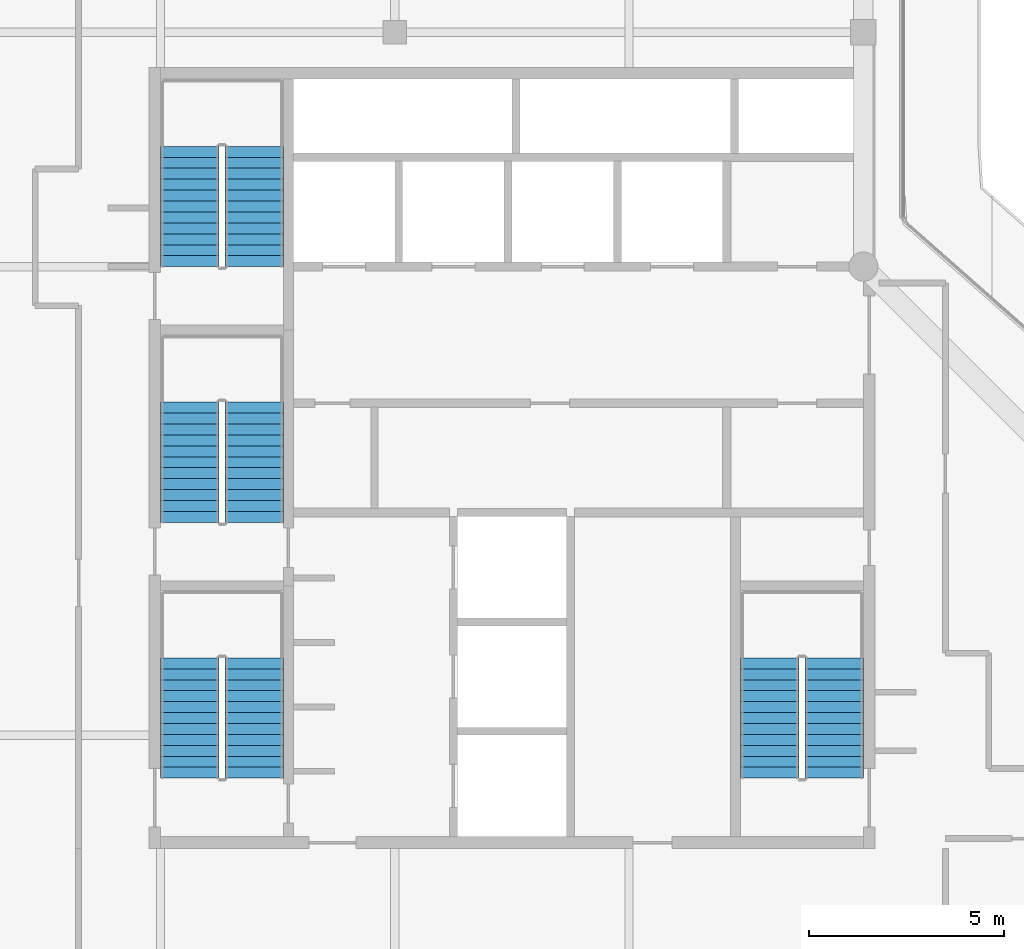
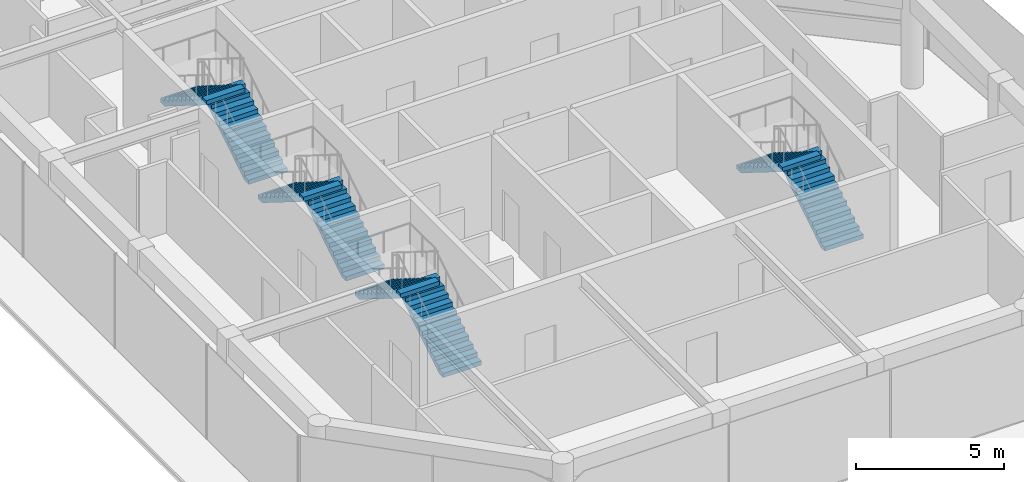
# One storey, part 20 of 22: 8 stair flights, 4 elements without a shape of their own.
"""IFC4 building model written with IfcOpenShell, lengths in metres."""

from ifc_helpers import new_model, si_unit, direction, frame, origin, place, context, subcontext, project, spatial, polyline, outline, extrude, material, type_object, element, aggregate, save


model = new_model("IFC4")

# Units and contexts
model_context = context("Model", 3, precision=1e-05, world=origin(), true_north=direction((0.0, 1.0)))
body_context = subcontext(model_context, "Body", "Model", "MODEL_VIEW")
ifc_project = project(units=[si_unit("LENGTHUNIT", "METRE"), si_unit("AREAUNIT", "SQUARE_METRE"), si_unit("VOLUMEUNIT", "CUBIC_METRE"), si_unit("PLANEANGLEUNIT", "RADIAN"), si_unit("MASSUNIT", "GRAM", prefix="KILO")], contexts=[model_context])

# Site, building, storey
site_placement = place(None, origin())
site = spatial("IfcSite", under=ifc_project, at=site_placement, CompositionType="ELEMENT")
building_placement = place(site_placement, origin())
building = spatial("IfcBuilding", under=site, at=building_placement, Name="Welwitschia Terrace Campus", CompositionType="ELEMENT")
storey_placement = place(building_placement, frame((0.0, 0.0, 318.800048828125)))
storey = spatial("IfcBuildingStorey", under=building, at=storey_placement, Name="L71", CompositionType="ELEMENT", Elevation=318.800048828125)

# Stair, stair flights
ifc_material_1 = material(Name="Concrete C40/50", Category="concrete")
stair_type = type_object("IfcStairType", Name="Stair 24R 175 W1500", PredefinedType="HALF_TURN_STAIR", material=ifc_material_1)
stair_1_placement = place(storey_placement, origin())
stair_1 = element("IfcStair", 1, at=stair_1_placement, inside=storey, type_object=stair_type, Name="L71 Exit stair S1", PredefinedType="HALF_TURN_STAIR")
ifc_material_2 = material(Name="Concrete C40/50", Category="concrete")
stair_flight_type = type_object("IfcStairFlightType", Name="Stair flight 24R 175 W1500", PredefinedType="STRAIGHT", material=ifc_material_2)
stair_flight_1_placement = place(storey_placement, frame((8.39990234375, 6.89990234375, 0.0), z_axis=(0.0, 0.0, 1.0), x_axis=(0.0, 1.0, 0.0)))
stair_flight_1 = element("IfcStairFlight", 2, at=stair_flight_1_placement, type_object=stair_flight_type, Name="S1 flight 1", NumberOfRisers=12, NumberOfTreads=11, PredefinedType="STRAIGHT", RiserHeight=0.175, TreadLength=0.28, context=body_context, shape_type="SweptSolid", body=[
    extrude(outline(polyline([(0.0, 0.0), (0.0, 0.175048828125), (0.280029296875, 0.175048828125), (0.280029296875, 0.35009765625), (0.56005859375, 0.35009765625), (0.56005859375, 0.52490234375), (0.840087890625, 0.52490234375), (0.840087890625, 0.699951171875), (1.1201171875, 0.699951171875), (1.1201171875, 0.875), (1.39990234375, 0.875), (1.39990234375, 1.050048828125), (1.679931640625, 1.050048828125), (1.679931640625, 1.22509765625), (1.9599609375, 1.22509765625), (1.9599609375, 1.39990234375), (2.239990234375, 1.39990234375), (2.239990234375, 1.574951171875), (2.52001953125, 1.574951171875), (2.52001953125, 1.75), (2.800048828125, 1.75), (2.800048828125, 1.925048828125), (3.080078125, 1.925048828125), (3.080078125, 2.10009765625), (3.080078125, 1.748291015625), (0.28271484375, 0.0), (0.0, 0.0)])), frame((0.0, 0.75, 0.0), z_axis=(0.0, -1.0, 0.0), x_axis=(1.0, 0.0, 0.0)), (0.0, 0.0, 1.0), 1.5),
])
stair_flight_2_placement = place(storey_placement, frame((6.75, 9.97998046875, 2.099853515625), z_axis=(0.0, 0.0, 1.0), x_axis=(0.0, -1.0, 0.0)))
stair_flight_2 = element("IfcStairFlight", 3, at=stair_flight_2_placement, type_object=stair_flight_type, Name="S1 flight 2", NumberOfRisers=12, NumberOfTreads=11, PredefinedType="STRAIGHT", RiserHeight=0.175, TreadLength=0.28, context=body_context, shape_type="SweptSolid", body=[
    extrude(outline(polyline([(0.0, 0.0), (0.0, 0.175048828125), (0.280029296875, 0.175048828125), (0.280029296875, 0.35009765625), (0.56005859375, 0.35009765625), (0.56005859375, 0.52490234375), (0.840087890625, 0.52490234375), (0.840087890625, 0.699951171875), (1.1201171875, 0.699951171875), (1.1201171875, 0.875), (1.39990234375, 0.875), (1.39990234375, 1.050048828125), (1.679931640625, 1.050048828125), (1.679931640625, 1.22509765625), (1.9599609375, 1.22509765625), (1.9599609375, 1.39990234375), (2.239990234375, 1.39990234375), (2.239990234375, 1.574951171875), (2.52001953125, 1.574951171875), (2.52001953125, 1.75), (2.800048828125, 1.75), (2.800048828125, 1.925048828125), (3.080078125, 1.925048828125), (3.080078125, 2.10009765625), (3.080078125, 1.748291015625), (0.28271484375, 0.0), (0.0, 0.0)])), frame((0.0, 0.75, 0.0), z_axis=(0.0, -1.0, 0.0), x_axis=(1.0, 0.0, 0.0)), (0.0, 0.0, 1.0), 1.5),
])
aggregate(stair_1, [stair_flight_1, stair_flight_2])

stair_2_placement = place(storey_placement, origin())
stair_2 = element("IfcStair", 4, at=stair_2_placement, inside=storey, type_object=stair_type, Name="L71 Exit stair S3", PredefinedType="HALF_TURN_STAIR")
stair_flight_3_placement = place(storey_placement, frame((8.39990234375, 13.449951171875, 0.0), z_axis=(0.0, 0.0, 1.0), x_axis=(0.0, 1.0, 0.0)))
stair_flight_3 = element("IfcStairFlight", 5, at=stair_flight_3_placement, type_object=stair_flight_type, Name="S3 flight 1", NumberOfRisers=12, NumberOfTreads=11, PredefinedType="STRAIGHT", RiserHeight=0.175, TreadLength=0.28, context=body_context, shape_type="SweptSolid", body=[
    extrude(outline(polyline([(0.0, 0.0), (0.0, 0.175048828125), (0.280029296875, 0.175048828125), (0.280029296875, 0.35009765625), (0.56005859375, 0.35009765625), (0.56005859375, 0.52490234375), (0.840087890625, 0.52490234375), (0.840087890625, 0.699951171875), (1.1201171875, 0.699951171875), (1.1201171875, 0.875), (1.39990234375, 0.875), (1.39990234375, 1.050048828125), (1.679931640625, 1.050048828125), (1.679931640625, 1.22509765625), (1.9599609375, 1.22509765625), (1.9599609375, 1.39990234375), (2.239990234375, 1.39990234375), (2.239990234375, 1.574951171875), (2.52001953125, 1.574951171875), (2.52001953125, 1.75), (2.800048828125, 1.75), (2.800048828125, 1.925048828125), (3.080078125, 1.925048828125), (3.080078125, 2.10009765625), (3.080078125, 1.748291015625), (0.28271484375, 0.0), (0.0, 0.0)])), frame((0.0, 0.75, 0.0), z_axis=(0.0, -1.0, 0.0), x_axis=(1.0, 0.0, 0.0)), (0.0, 0.0, 1.0), 1.5),
])
stair_flight_4_placement = place(storey_placement, frame((6.75, 16.530029296875, 2.099853515625), z_axis=(0.0, 0.0, 1.0), x_axis=(0.0, -1.0, 0.0)))
stair_flight_4 = element("IfcStairFlight", 6, at=stair_flight_4_placement, type_object=stair_flight_type, Name="S3 flight 2", NumberOfRisers=12, NumberOfTreads=11, PredefinedType="STRAIGHT", RiserHeight=0.175, TreadLength=0.28, context=body_context, shape_type="SweptSolid", body=[
    extrude(outline(polyline([(0.0, 0.0), (0.0, 0.175048828125), (0.280029296875, 0.175048828125), (0.280029296875, 0.35009765625), (0.56005859375, 0.35009765625), (0.56005859375, 0.52490234375), (0.840087890625, 0.52490234375), (0.840087890625, 0.699951171875), (1.1201171875, 0.699951171875), (1.1201171875, 0.875), (1.39990234375, 0.875), (1.39990234375, 1.050048828125), (1.679931640625, 1.050048828125), (1.679931640625, 1.22509765625), (1.9599609375, 1.22509765625), (1.9599609375, 1.39990234375), (2.239990234375, 1.39990234375), (2.239990234375, 1.574951171875), (2.52001953125, 1.574951171875), (2.52001953125, 1.75), (2.800048828125, 1.75), (2.800048828125, 1.925048828125), (3.080078125, 1.925048828125), (3.080078125, 2.10009765625), (3.080078125, 1.748291015625), (0.28271484375, 0.0), (0.0, 0.0)])), frame((0.0, 0.75, 0.0), z_axis=(0.0, -1.0, 0.0), x_axis=(1.0, 0.0, 0.0)), (0.0, 0.0, 1.0), 1.5),
])
aggregate(stair_2, [stair_flight_3, stair_flight_4])

stair_3_placement = place(storey_placement, origin())
stair_3 = element("IfcStair", 7, at=stair_3_placement, inside=storey, type_object=stair_type, Name="L71 Exit stair S4", PredefinedType="HALF_TURN_STAIR")
stair_flight_5_placement = place(storey_placement, frame((8.39990234375, 20.0, 0.0), z_axis=(0.0, 0.0, 1.0), x_axis=(0.0, 1.0, 0.0)))
stair_flight_5 = element("IfcStairFlight", 8, at=stair_flight_5_placement, type_object=stair_flight_type, Name="S4 flight 1", NumberOfRisers=12, NumberOfTreads=11, PredefinedType="STRAIGHT", RiserHeight=0.175, TreadLength=0.28, context=body_context, shape_type="SweptSolid", body=[
    extrude(outline(polyline([(0.0, 0.0), (0.0, 0.175048828125), (0.280029296875, 0.175048828125), (0.280029296875, 0.35009765625), (0.56005859375, 0.35009765625), (0.56005859375, 0.52490234375), (0.840087890625, 0.52490234375), (0.840087890625, 0.699951171875), (1.1201171875, 0.699951171875), (1.1201171875, 0.875), (1.39990234375, 0.875), (1.39990234375, 1.050048828125), (1.679931640625, 1.050048828125), (1.679931640625, 1.22509765625), (1.9599609375, 1.22509765625), (1.9599609375, 1.39990234375), (2.239990234375, 1.39990234375), (2.239990234375, 1.574951171875), (2.52001953125, 1.574951171875), (2.52001953125, 1.75), (2.800048828125, 1.75), (2.800048828125, 1.925048828125), (3.080078125, 1.925048828125), (3.080078125, 2.10009765625), (3.080078125, 1.748291015625), (0.28271484375, 0.0), (0.0, 0.0)])), frame((0.0, 0.75, 0.0), z_axis=(0.0, -1.0, 0.0), x_axis=(1.0, 0.0, 0.0)), (0.0, 0.0, 1.0), 1.5),
])
stair_flight_6_placement = place(storey_placement, frame((6.75, 23.080078125, 2.099853515625), z_axis=(0.0, 0.0, 1.0), x_axis=(0.0, -1.0, 0.0)))
stair_flight_6 = element("IfcStairFlight", 9, at=stair_flight_6_placement, type_object=stair_flight_type, Name="S4 flight 2", NumberOfRisers=12, NumberOfTreads=11, PredefinedType="STRAIGHT", RiserHeight=0.175, TreadLength=0.28, context=body_context, shape_type="SweptSolid", body=[
    extrude(outline(polyline([(0.0, 0.0), (0.0, 0.175048828125), (0.280029296875, 0.175048828125), (0.280029296875, 0.35009765625), (0.56005859375, 0.35009765625), (0.56005859375, 0.52490234375), (0.840087890625, 0.52490234375), (0.840087890625, 0.699951171875), (1.1201171875, 0.699951171875), (1.1201171875, 0.875), (1.39990234375, 0.875), (1.39990234375, 1.050048828125), (1.679931640625, 1.050048828125), (1.679931640625, 1.22509765625), (1.9599609375, 1.22509765625), (1.9599609375, 1.39990234375), (2.239990234375, 1.39990234375), (2.239990234375, 1.574951171875), (2.52001953125, 1.574951171875), (2.52001953125, 1.75), (2.800048828125, 1.75), (2.800048828125, 1.925048828125), (3.080078125, 1.925048828125), (3.080078125, 2.10009765625), (3.080078125, 1.748291015625), (0.28271484375, 0.0), (0.0, 0.0)])), frame((0.0, 0.75, 0.0), z_axis=(0.0, -1.0, 0.0), x_axis=(1.0, 0.0, 0.0)), (0.0, 0.0, 1.0), 1.5),
])
aggregate(stair_3, [stair_flight_5, stair_flight_6])

stair_4_placement = place(storey_placement, origin())
stair_4 = element("IfcStair", 10, at=stair_4_placement, inside=storey, type_object=stair_type, Name="L71 Exit stair S2", PredefinedType="HALF_TURN_STAIR")
stair_flight_7_placement = place(storey_placement, frame((23.25, 6.89990234375, 0.0), z_axis=(0.0, 0.0, 1.0), x_axis=(0.0, 1.0, 0.0)))
stair_flight_7 = element("IfcStairFlight", 11, at=stair_flight_7_placement, type_object=stair_flight_type, Name="S2 flight 1", NumberOfRisers=12, NumberOfTreads=11, PredefinedType="STRAIGHT", RiserHeight=0.175, TreadLength=0.28, context=body_context, shape_type="SweptSolid", body=[
    extrude(outline(polyline([(0.0, 0.0), (0.0, 0.175048828125), (0.280029296875, 0.175048828125), (0.280029296875, 0.35009765625), (0.56005859375, 0.35009765625), (0.56005859375, 0.52490234375), (0.840087890625, 0.52490234375), (0.840087890625, 0.699951171875), (1.1201171875, 0.699951171875), (1.1201171875, 0.875), (1.39990234375, 0.875), (1.39990234375, 1.050048828125), (1.679931640625, 1.050048828125), (1.679931640625, 1.22509765625), (1.9599609375, 1.22509765625), (1.9599609375, 1.39990234375), (2.239990234375, 1.39990234375), (2.239990234375, 1.574951171875), (2.52001953125, 1.574951171875), (2.52001953125, 1.75), (2.800048828125, 1.75), (2.800048828125, 1.925048828125), (3.080078125, 1.925048828125), (3.080078125, 2.10009765625), (3.080078125, 1.748291015625), (0.28271484375, 0.0), (0.0, 0.0)])), frame((0.0, 0.75, 0.0), z_axis=(0.0, -1.0, 0.0), x_axis=(1.0, 0.0, 0.0)), (0.0, 0.0, 1.0), 1.5),
])
stair_flight_8_placement = place(storey_placement, frame((21.60009765625, 9.97998046875, 2.099853515625), z_axis=(0.0, 0.0, 1.0), x_axis=(0.0, -1.0, 0.0)))
stair_flight_8 = element("IfcStairFlight", 12, at=stair_flight_8_placement, type_object=stair_flight_type, Name="S2 flight 2", NumberOfRisers=12, NumberOfTreads=11, PredefinedType="STRAIGHT", RiserHeight=0.175, TreadLength=0.28, context=body_context, shape_type="SweptSolid", body=[
    extrude(outline(polyline([(0.0, 0.0), (0.0, 0.175048828125), (0.280029296875, 0.175048828125), (0.280029296875, 0.35009765625), (0.56005859375, 0.35009765625), (0.56005859375, 0.52490234375), (0.840087890625, 0.52490234375), (0.840087890625, 0.699951171875), (1.1201171875, 0.699951171875), (1.1201171875, 0.875), (1.39990234375, 0.875), (1.39990234375, 1.050048828125), (1.679931640625, 1.050048828125), (1.679931640625, 1.22509765625), (1.9599609375, 1.22509765625), (1.9599609375, 1.39990234375), (2.239990234375, 1.39990234375), (2.239990234375, 1.574951171875), (2.52001953125, 1.574951171875), (2.52001953125, 1.75), (2.800048828125, 1.75), (2.800048828125, 1.925048828125), (3.080078125, 1.925048828125), (3.080078125, 2.10009765625), (3.080078125, 1.748291015625), (0.28271484375, 0.0), (0.0, 0.0)])), frame((0.0, 0.75, 0.0), z_axis=(0.0, -1.0, 0.0), x_axis=(1.0, 0.0, 0.0)), (0.0, 0.0, 1.0), 1.5),
])
aggregate(stair_4, [stair_flight_7, stair_flight_8])

save(model, "model.ifc")
